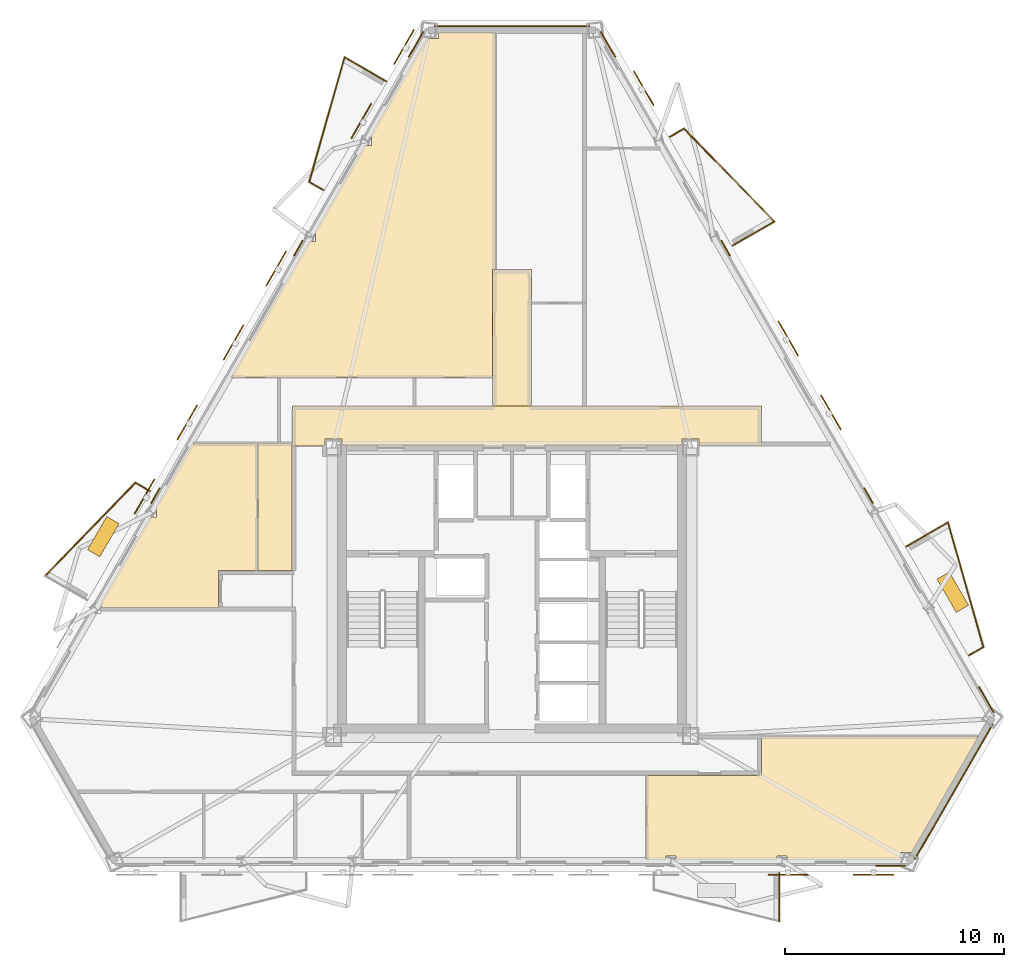
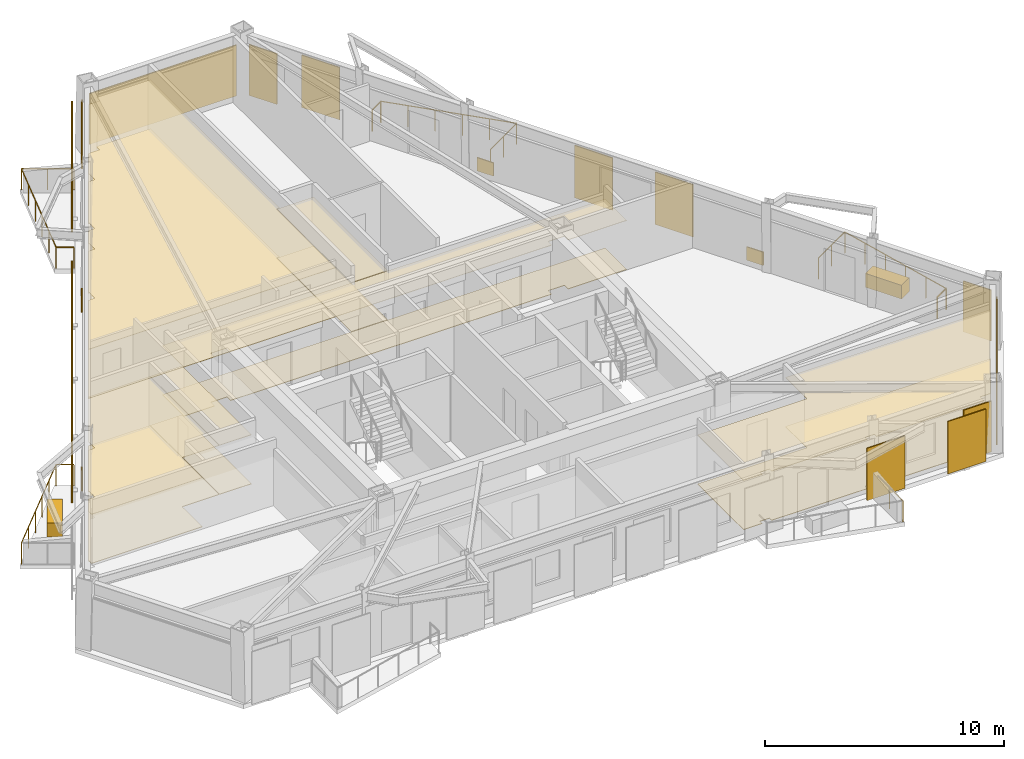
# One storey, part 8 of 8: 24 coverings, 12 railings, 11 shading devices.
"""IFC4 building model written with IfcOpenShell, lengths in metres."""

from ifc_helpers import new_model, si_unit, direction, frame, origin, origin_2d, place, context, subcontext, project, spatial, polyline, rectangle, circle, outline, extrude, material, layer, layer_set, type_object, element, save


model = new_model("IFC4")

# Units and contexts
model_context = context("Model", 3, precision=1e-05, world=origin(), true_north=direction((0.0, 1.0)))
body_context = subcontext(model_context, "Body", "Model", "MODEL_VIEW")
ifc_project = project(units=[si_unit("LENGTHUNIT", "METRE"), si_unit("AREAUNIT", "SQUARE_METRE"), si_unit("VOLUMEUNIT", "CUBIC_METRE"), si_unit("PLANEANGLEUNIT", "RADIAN"), si_unit("MASSUNIT", "GRAM", prefix="KILO")], contexts=[model_context])

# Site, building, storey
site_placement = place(None, origin())
site = spatial("IfcSite", under=ifc_project, at=site_placement, CompositionType="ELEMENT")
building_placement = place(site_placement, origin())
building = spatial("IfcBuilding", under=site, at=building_placement, Name="Oramaril Tower", CompositionType="ELEMENT")
storey_placement = place(building_placement, frame((0.0, 0.0, 193.800048828125)))
storey = spatial("IfcBuildingStorey", under=building, at=storey_placement, Name="L51", CompositionType="ELEMENT", Elevation=193.800048828125)

# Coverings
ifc_material_1 = material(Name="Mineral Fibre Acoustic Ceiling")
ifc_layer_1 = layer(ifc_material_1, 0.02001953125)
ifc_layer_set_1 = layer_set([ifc_layer_1], Name="CVT-CEIL")
covering_type_1 = type_object("IfcCoveringType", Name="CVT-CEIL", PredefinedType="CEILING", material=ifc_layer_set_1)
covering_1_placement = place(storey_placement, frame((0.0, 0.0, 2.511962890625)))
element("IfcCovering", 1, at=covering_1_placement, inside=storey, type_object=covering_type_1, Name="L51 Acoustic Suspended Ceiling 2", PredefinedType="CEILING", context=body_context, shape_type="SweptSolid", body=[
    extrude(outline(polyline([(48.8798828125, 24.239990234375), (46.044921875, 24.239990234375), (46.044921875, 24.544921875), (45.2548828125, 24.544921875), (45.2548828125, 24.25), (29.7451171875, 24.25), (29.7451171875, 24.544921875), (28.955078125, 24.544921875), (28.955078125, 24.239990234375), (27.469970703125, 24.239990234375), (27.469970703125, 26.050048828125), (48.8798828125, 26.050048828125), (48.8798828125, 24.239990234375)])), origin(), (0.0, 0.0, 1.0), 0.02001953125),
])
covering_2_placement = place(storey_placement, frame((0.0, 0.0, 2.511962890625)))
element("IfcCovering", 2, at=covering_2_placement, inside=storey, type_object=covering_type_1, Name="L51 Acoustic Suspended Ceiling 4", PredefinedType="CEILING", context=body_context, shape_type="SweptSolid", body=[
    extrude(outline(polyline([(38.3798828125, 26.070068359375), (36.6201171875, 26.070068359375), (36.6201171875, 32.280029296875), (38.3798828125, 32.280029296875), (38.3798828125, 26.070068359375)])), origin(), (0.0, 0.0, 1.0), 0.02001953125),
])
covering_3_placement = place(storey_placement, frame((0.0, 0.0, 2.511962890625)))
element("IfcCovering", 3, at=covering_3_placement, inside=storey, type_object=covering_type_1, Name="L51 Acoustic Suspended Ceiling 7", PredefinedType="CEILING", context=body_context, shape_type="SweptSolid", body=[
    extrude(outline(polyline([(55.74658203125, 5.681396484375), (55.247314453125, 5.681396484375), (55.247314453125, 5.349609375), (50.059326171875, 5.349609375), (50.059326171875, 5.531005859375), (49.600341796875, 5.531005859375), (49.600341796875, 5.349609375), (44.978271484375, 5.349609375), (44.978271484375, 5.531005859375), (44.52734375, 5.531005859375), (44.52734375, 5.349609375), (43.62109375, 5.349609375), (43.62109375, 9.199951171875), (48.8798828125, 9.199951171875), (48.882080078125, 9.2001953125), (48.8837890625, 9.200439453125), (48.8857421875, 9.200927734375), (48.8876953125, 9.201416015625), (48.889404296875, 9.202392578125), (48.89111328125, 9.203369140625), (48.892578125, 9.20458984375), (48.89404296875, 9.205810546875), (48.8955078125, 9.207275390625), (48.896484375, 9.208984375), (48.897705078125, 9.210693359375), (48.8984375, 9.21240234375), (48.899169921875, 9.214111328125), (48.899658203125, 9.216064453125), (48.89990234375, 9.218017578125), (48.89990234375, 9.219970703125), (48.89990234375, 10.991943359375), (58.8125, 10.991943359375), (55.74658203125, 5.681396484375)])), origin(), (0.0, 0.0, 1.0), 0.02001953125),
])
covering_4_placement = place(storey_placement, frame((0.0, 0.0, 2.511962890625)))
element("IfcCovering", 4, at=covering_4_placement, inside=storey, type_object=covering_type_1, Name="L51 Acoustic Suspended Ceiling 14", PredefinedType="CEILING", context=body_context, shape_type="SweptSolid", body=[
    extrude(outline(polyline([(18.742431640625, 17.079345703125), (18.723876953125, 17.079345703125), (20.98095703125, 20.988525390625), (21.282958984375, 20.988525390625), (21.282958984375, 21.47265625), (21.26025390625, 21.47265625), (22.928466796875, 24.362060546875), (25.89013671875, 24.362060546875), (25.89013671875, 18.550048828125), (24.1201171875, 18.550048828125), (24.117919921875, 18.5498046875), (24.1162109375, 18.549560546875), (24.1142578125, 18.549072265625), (24.1123046875, 18.548583984375), (24.110595703125, 18.547607421875), (24.10888671875, 18.546630859375), (24.107421875, 18.54541015625), (24.10595703125, 18.544189453125), (24.1044921875, 18.542724609375), (24.103515625, 18.541015625), (24.102294921875, 18.539306640625), (24.1015625, 18.53759765625), (24.100830078125, 18.535888671875), (24.100341796875, 18.533935546875), (24.10009765625, 18.531982421875), (24.10009765625, 18.530029296875), (24.10009765625, 16.862060546875), (18.742431640625, 16.862060546875), (18.742431640625, 17.079345703125)])), origin(), (0.0, 0.0, 1.0), 0.02001953125),
])
covering_5_placement = place(storey_placement, frame((0.0, 0.0, 2.511962890625)))
element("IfcCovering", 5, at=covering_5_placement, inside=storey, type_object=covering_type_1, Name="L51 Acoustic Suspended Ceiling 15", PredefinedType="CEILING", context=body_context, shape_type="SweptSolid", body=[
    extrude(outline(polyline([(27.449951171875, 24.362060546875), (27.449951171875, 24.239990234375), (27.4501953125, 24.238037109375), (27.450439453125, 24.236083984375), (27.450927734375, 24.234130859375), (27.451416015625, 24.232421875), (27.452392578125, 24.230712890625), (27.45263671875, 24.22998046875), (27.452392578125, 24.2294921875), (27.451416015625, 24.227783203125), (27.450927734375, 24.225830078125), (27.450439453125, 24.223876953125), (27.4501953125, 24.221923828125), (27.449951171875, 24.219970703125), (27.449951171875, 18.550048828125), (25.91015625, 18.550048828125), (25.91015625, 24.362060546875), (27.449951171875, 24.362060546875)])), origin(), (0.0, 0.0, 1.0), 0.02001953125),
])
covering_6_placement = place(storey_placement, frame((0.0, 0.0, 2.511962890625)))
element("IfcCovering", 6, at=covering_6_placement, inside=storey, type_object=covering_type_1, Name="L51 Acoustic Suspended Ceiling 16", PredefinedType="CEILING", context=body_context, shape_type="SweptSolid", body=[
    extrude(outline(polyline([(36.741943359375, 32.300048828125), (36.6201171875, 32.300048828125), (36.617919921875, 32.2998046875), (36.6162109375, 32.299560546875), (36.6142578125, 32.299072265625), (36.6123046875, 32.298583984375), (36.610595703125, 32.297607421875), (36.60888671875, 32.296630859375), (36.607421875, 32.29541015625), (36.60595703125, 32.294189453125), (36.6044921875, 32.292724609375), (36.603515625, 32.291015625), (36.602294921875, 32.289306640625), (36.6015625, 32.28759765625), (36.600830078125, 32.285888671875), (36.600341796875, 32.283935546875), (36.60009765625, 32.281982421875), (36.60009765625, 32.280029296875), (36.60009765625, 27.347900390625), (24.65234375, 27.347900390625), (28.239501953125, 33.56103515625), (28.541748046875, 33.56103515625), (28.541748046875, 34.024658203125), (28.507080078125, 34.024658203125), (30.780029296875, 37.96142578125), (31.082275390625, 37.96142578125), (31.082275390625, 38.41796875), (31.043701171875, 38.41796875), (33.5966796875, 42.83984375), (34.13623046875, 42.83984375), (34.13623046875, 43.111083984375), (36.741943359375, 43.111083984375), (36.741943359375, 32.300048828125)])), origin(), (0.0, 0.0, 1.0), 0.02001953125),
])
ifc_material_2 = material(Name="Warm Cream Limestone", Category="masonry")
ifc_layer_2 = layer(ifc_material_2, 0.050048828125)
ifc_layer_set_2 = layer_set([ifc_layer_2], Name="CVT-CLD")
covering_type_2 = type_object("IfcCoveringType", Name="CVT-CLD", PredefinedType="CLADDING", material=ifc_layer_set_2)
covering_7_placement = place(storey_placement, frame((54.767333984375, 5.07373046875, 0.0400390625), z_axis=(0.0, 0.0, 1.0), x_axis=(1.0, 0.0, 0.0)))
element("IfcCovering", 7, at=covering_7_placement, inside=storey, type_object=covering_type_2, Name="L51 Warm Cream Limestone Cladding", PredefinedType="CLADDING", context=body_context, shape_type="SweptSolid", body=[
    extrude(rectangle(XDim=1.35009765625, YDim=0.050048828125, at=origin_2d()), origin(), (0.0, 0.0, 1.0), 2.596923828125),
])
covering_8_placement = place(storey_placement, frame((57.667236328125, 8.456298828125, 0.0400390625), z_axis=(0.0, 0.0, 1.0), x_axis=(0.4999984885, 0.866026276448, 0.0)))
element("IfcCovering", 8, at=covering_8_placement, inside=storey, type_object=covering_type_2, Name="L51 Warm Cream Limestone Cladding", PredefinedType="CLADDING", context=body_context, shape_type="SweptSolid", body=[
    extrude(rectangle(XDim=7.117919921875, YDim=0.050048828125, at=origin_2d()), origin(), (0.0, 0.0, 1.0), 2.596923828125),
])
for number, where, z_axis, x_axis, name in (
    (9, (59.146728515625, 12.6591796875, 0.0400390625), (0.0, 0.0, 1.0), (-0.5, 0.866025403784, 0.0), "L51 Warm Cream Limestone Cladding"),
    (10, (41.87939453125, 42.567138671875, 0.0400390625), (0.0, 0.0, 1.0), (-0.5, 0.866025403784, 0.0), "L51 Warm Cream Limestone Cladding"),
):
    element("IfcCovering", number, at=place(storey_placement, frame(where, z_axis=z_axis, x_axis=x_axis)), inside=storey, type_object=covering_type_2, Name=name, PredefinedType="CLADDING", context=body_context, shape_type="SweptSolid", body=[
        extrude(rectangle(XDim=1.35009765625, YDim=0.050048828125, at=origin_2d()), origin(), (0.0, 0.0, 1.0), 2.596923828125),
    ])
for number, where, z_axis, x_axis, name in (
    (11, (53.7744140625, 21.964599609375, 0.0400390625), (0.0, 0.0, 1.0), (-0.5, 0.866025403784, 0.0), "L51 Warm Cream Limestone Spandrel Cladding"),
    (12, (47.251953125, 33.26171875, 0.0400390625), (0.0, 0.0, 1.0), (-0.5, 0.866025403784, 0.0), "L51 Warm Cream Limestone Spandrel Cladding"),
):
    element("IfcCovering", number, at=place(storey_placement, frame(where, z_axis=z_axis, x_axis=x_axis)), inside=storey, type_object=covering_type_2, Name=name, PredefinedType="CLADDING", context=body_context, shape_type="SweptSolid", body=[
        extrude(rectangle(XDim=0.800048828125, YDim=0.050048828125, at=origin_2d()), origin(), (0.0, 0.0, 1.0), 0.679931640625),
    ])
covering_9_placement = place(storey_placement, frame((37.5, 43.38720703125, 0.0400390625), z_axis=(0.0, 0.0, 1.0), x_axis=(-1.0, 0.0, 0.0)))
element("IfcCovering", 13, at=covering_9_placement, inside=storey, type_object=covering_type_2, Name="L51 Warm Cream Limestone Cladding", PredefinedType="CLADDING", context=body_context, shape_type="SweptSolid", body=[
    extrude(rectangle(XDim=7.117919921875, YDim=0.050048828125, at=origin_2d()), origin(), (0.0, 0.0, 1.0), 2.596923828125),
])
covering_10_placement = place(storey_placement, frame((33.12060546875, 42.567138671875, 0.0400390625), z_axis=(0.0, 0.0, 1.0), x_axis=(-0.5, -0.866025403784, 0.0)))
element("IfcCovering", 14, at=covering_10_placement, inside=storey, type_object=covering_type_2, Name="L51 Warm Cream Limestone Cladding", PredefinedType="CLADDING", context=body_context, shape_type="SweptSolid", body=[
    extrude(rectangle(XDim=1.35009765625, YDim=0.050048828125, at=origin_2d()), origin(), (0.0, 0.0, 1.0), 2.596923828125),
])
for number, where, z_axis, x_axis, name in (
    (15, (27.748046875, 33.26171875, 0.0400390625), (0.0, 0.0, 1.0), (-0.5, -0.866025403784, 0.0), "L51 Warm Cream Limestone Spandrel Cladding"),
    (16, (21.2255859375, 21.964599609375, 0.0400390625), (0.0, 0.0, 1.0), (-0.5, -0.866025403784, 0.0), "L51 Warm Cream Limestone Spandrel Cladding"),
):
    element("IfcCovering", number, at=place(storey_placement, frame(where, z_axis=z_axis, x_axis=x_axis)), inside=storey, type_object=covering_type_2, Name=name, PredefinedType="CLADDING", context=body_context, shape_type="SweptSolid", body=[
        extrude(rectangle(XDim=0.800048828125, YDim=0.050048828125, at=origin_2d()), origin(), (0.0, 0.0, 1.0), 0.679931640625),
    ])
for number, where, z_axis, x_axis, name in (
    (17, (57.619384765625, 17.561767578125, 0.0), (0.0, 0.0, 1.0), (-0.5, 0.866025403784, 0.0), "L51 Structural Tree Planter Box L51-BAL-NE1"),
    (18, (18.843017578125, 20.094970703125, 0.0), (0.0, 0.0, 1.0), (-0.5, -0.866025403784, 0.0), "L51 Structural Tree Planter Box L51-BAL-NW2"),
):
    element("IfcCovering", number, at=place(storey_placement, frame(where, z_axis=z_axis, x_axis=x_axis)), inside=storey, type_object=covering_type_2, Name=name, PredefinedType="CLADDING", context=body_context, shape_type="SweptSolid", body=[
        extrude(rectangle(XDim=1.75, YDim=0.64990234375, at=origin_2d()), origin(), (0.0, 0.0, 1.0), 0.699951171875),
    ])
ifc_material_3 = material(Name="Honed Quartzite Stone Flooring", Category="masonry")
ifc_layer_3 = layer(ifc_material_3, 0.02490234375)
ifc_layer_set_3 = layer_set([ifc_layer_3], Name="CVT-FLR")
covering_type_3 = type_object("IfcCoveringType", Name="CVT-FLR", PredefinedType="FLOORING", material=ifc_layer_set_3)
covering_11_placement = place(storey_placement, origin())
element("IfcCovering", 19, at=covering_11_placement, inside=storey, type_object=covering_type_3, Name="L51 Honed Stone Floor Finish 2", PredefinedType="FLOORING", context=body_context, shape_type="SweptSolid", body=[
    extrude(outline(polyline([(48.8798828125, 24.239990234375), (46.044921875, 24.239990234375), (46.044921875, 24.544921875), (45.2548828125, 24.544921875), (45.2548828125, 24.25), (29.7451171875, 24.25), (29.7451171875, 24.544921875), (28.955078125, 24.544921875), (28.955078125, 24.239990234375), (27.469970703125, 24.239990234375), (27.469970703125, 26.050048828125), (48.8798828125, 26.050048828125), (48.8798828125, 24.239990234375)])), origin(), (0.0, 0.0, 1.0), 0.02490234375),
])
covering_12_placement = place(storey_placement, origin())
element("IfcCovering", 20, at=covering_12_placement, inside=storey, type_object=covering_type_3, Name="L51 Honed Stone Floor Finish 4", PredefinedType="FLOORING", context=body_context, shape_type="SweptSolid", body=[
    extrude(outline(polyline([(38.3798828125, 26.070068359375), (36.6201171875, 26.070068359375), (36.6201171875, 32.280029296875), (38.3798828125, 32.280029296875), (38.3798828125, 26.070068359375)])), origin(), (0.0, 0.0, 1.0), 0.02490234375),
])
covering_13_placement = place(storey_placement, origin())
element("IfcCovering", 21, at=covering_13_placement, inside=storey, type_object=covering_type_3, Name="L51 Honed Stone Floor Finish 7", PredefinedType="FLOORING", context=body_context, shape_type="SweptSolid", body=[
    extrude(outline(polyline([(55.74658203125, 5.681396484375), (55.247314453125, 5.681396484375), (55.247314453125, 5.349609375), (50.059326171875, 5.349609375), (50.059326171875, 5.531005859375), (49.600341796875, 5.531005859375), (49.600341796875, 5.349609375), (44.978271484375, 5.349609375), (44.978271484375, 5.531005859375), (44.52734375, 5.531005859375), (44.52734375, 5.349609375), (43.62109375, 5.349609375), (43.62109375, 9.199951171875), (48.8798828125, 9.199951171875), (48.882080078125, 9.2001953125), (48.8837890625, 9.200439453125), (48.8857421875, 9.200927734375), (48.8876953125, 9.201416015625), (48.889404296875, 9.202392578125), (48.89111328125, 9.203369140625), (48.892578125, 9.20458984375), (48.89404296875, 9.205810546875), (48.8955078125, 9.207275390625), (48.896484375, 9.208984375), (48.897705078125, 9.210693359375), (48.8984375, 9.21240234375), (48.899169921875, 9.214111328125), (48.899658203125, 9.216064453125), (48.89990234375, 9.218017578125), (48.89990234375, 9.219970703125), (48.89990234375, 10.991943359375), (58.8125, 10.991943359375), (55.74658203125, 5.681396484375)])), origin(), (0.0, 0.0, 1.0), 0.02490234375),
])
covering_14_placement = place(storey_placement, origin())
element("IfcCovering", 22, at=covering_14_placement, inside=storey, type_object=covering_type_3, Name="L51 Honed Stone Floor Finish 14", PredefinedType="FLOORING", context=body_context, shape_type="SweptSolid", body=[
    extrude(outline(polyline([(18.742431640625, 17.079345703125), (18.723876953125, 17.079345703125), (20.98095703125, 20.988525390625), (21.282958984375, 20.988525390625), (21.282958984375, 21.47265625), (21.26025390625, 21.47265625), (22.928466796875, 24.362060546875), (25.89013671875, 24.362060546875), (25.89013671875, 18.550048828125), (24.1201171875, 18.550048828125), (24.117919921875, 18.5498046875), (24.1162109375, 18.549560546875), (24.1142578125, 18.549072265625), (24.1123046875, 18.548583984375), (24.110595703125, 18.547607421875), (24.10888671875, 18.546630859375), (24.107421875, 18.54541015625), (24.10595703125, 18.544189453125), (24.1044921875, 18.542724609375), (24.103515625, 18.541015625), (24.102294921875, 18.539306640625), (24.1015625, 18.53759765625), (24.100830078125, 18.535888671875), (24.100341796875, 18.533935546875), (24.10009765625, 18.531982421875), (24.10009765625, 18.530029296875), (24.10009765625, 16.862060546875), (18.742431640625, 16.862060546875), (18.742431640625, 17.079345703125)])), origin(), (0.0, 0.0, 1.0), 0.02490234375),
])
covering_15_placement = place(storey_placement, origin())
element("IfcCovering", 23, at=covering_15_placement, inside=storey, type_object=covering_type_3, Name="L51 Honed Stone Floor Finish 15", PredefinedType="FLOORING", context=body_context, shape_type="SweptSolid", body=[
    extrude(outline(polyline([(27.449951171875, 24.362060546875), (27.449951171875, 24.239990234375), (27.4501953125, 24.238037109375), (27.450439453125, 24.236083984375), (27.450927734375, 24.234130859375), (27.451416015625, 24.232421875), (27.452392578125, 24.230712890625), (27.45263671875, 24.22998046875), (27.452392578125, 24.2294921875), (27.451416015625, 24.227783203125), (27.450927734375, 24.225830078125), (27.450439453125, 24.223876953125), (27.4501953125, 24.221923828125), (27.449951171875, 24.219970703125), (27.449951171875, 18.550048828125), (25.91015625, 18.550048828125), (25.91015625, 24.362060546875), (27.449951171875, 24.362060546875)])), origin(), (0.0, 0.0, 1.0), 0.02490234375),
])
covering_16_placement = place(storey_placement, origin())
element("IfcCovering", 24, at=covering_16_placement, inside=storey, type_object=covering_type_3, Name="L51 Honed Stone Floor Finish 16", PredefinedType="FLOORING", context=body_context, shape_type="SweptSolid", body=[
    extrude(outline(polyline([(36.741943359375, 32.300048828125), (36.6201171875, 32.300048828125), (36.617919921875, 32.2998046875), (36.6162109375, 32.299560546875), (36.6142578125, 32.299072265625), (36.6123046875, 32.298583984375), (36.610595703125, 32.297607421875), (36.60888671875, 32.296630859375), (36.607421875, 32.29541015625), (36.60595703125, 32.294189453125), (36.6044921875, 32.292724609375), (36.603515625, 32.291015625), (36.602294921875, 32.289306640625), (36.6015625, 32.28759765625), (36.600830078125, 32.285888671875), (36.600341796875, 32.283935546875), (36.60009765625, 32.281982421875), (36.60009765625, 32.280029296875), (36.60009765625, 27.347900390625), (24.65234375, 27.347900390625), (28.239501953125, 33.56103515625), (28.541748046875, 33.56103515625), (28.541748046875, 34.024658203125), (28.507080078125, 34.024658203125), (30.780029296875, 37.96142578125), (31.082275390625, 37.96142578125), (31.082275390625, 38.41796875), (31.043701171875, 38.41796875), (33.5966796875, 42.83984375), (34.13623046875, 42.83984375), (34.13623046875, 43.111083984375), (36.741943359375, 43.111083984375), (36.741943359375, 32.300048828125)])), origin(), (0.0, 0.0, 1.0), 0.02490234375),
])

# Railings
ifc_material_4 = material(Name="Stainless Steel 316L", Category="steel")
railing_type = type_object("IfcRailingType", Name="RLT-GRD", PredefinedType="GUARDRAIL", material=ifc_material_4)
railing_1_placement = place(storey_placement, frame((49.697998046875, 4.733642578125, 0.0)))
element("IfcRailing", 25, at=railing_1_placement, inside=storey, type_object=railing_type, Name="L51 Balcony Guardrail L51-BAL-S2.1", PredefinedType="GUARDRAIL", context=body_context, shape_type="SweptSolid", body=[
    extrude(circle(Radius=0.02392578125, at=origin_2d()), frame((0.0, 0.0, 1.076171875), z_axis=(0.0, -1.0, 0.0), x_axis=(1.0, 0.0, 0.0)), (0.0, 0.0, 1.0), 2.19189453125),
    extrude(circle(Radius=0.02099609375, at=origin_2d()), origin(), (0.0, 0.0, 1.0), 1.052001953125),
    extrude(circle(Radius=0.02099609375, at=origin_2d()), frame((0.0, -1.095947265625, 0.0)), (0.0, 0.0, 1.0), 1.052001953125),
    extrude(circle(Radius=0.02099609375, at=origin_2d()), frame((0.0, -2.19189453125, 0.0)), (0.0, 0.0, 1.0), 1.052001953125),
])
railing_2_placement = place(storey_placement, frame((55.504150390625, 19.648681640625, 0.0)))
element("IfcRailing", 26, at=railing_2_placement, inside=storey, type_object=railing_type, Name="L51 Balcony Guardrail L51-BAL-NE1.1", PredefinedType="GUARDRAIL", context=body_context, shape_type="SweptSolid", body=[
    extrude(circle(Radius=0.02392578125, at=origin_2d()), frame((0.0, 0.0, 1.076171875), z_axis=(0.866020500697, 0.5000084923, 0.0), x_axis=(-0.5000084923, 0.866020500697, 0.0)), (0.0, 0.0, 1.0), 2.19189453125),
    extrude(circle(Radius=0.02099609375, at=origin_2d()), origin(), (0.0, 0.0, 1.0), 1.052001953125),
    extrude(circle(Radius=0.02099609375, at=origin_2d()), frame((0.94921875, 0.5478515625, 0.0)), (0.0, 0.0, 1.0), 1.052001953125),
    extrude(circle(Radius=0.02099609375, at=origin_2d()), frame((1.898193359375, 1.095947265625, 0.0)), (0.0, 0.0, 1.0), 1.052001953125),
])
railing_3_placement = place(storey_placement, frame((57.40234375, 20.74462890625, 0.0)))
element("IfcRailing", 27, at=railing_3_placement, inside=storey, type_object=railing_type, Name="L51 Balcony Guardrail L51-BAL-NE1.2", PredefinedType="GUARDRAIL", context=body_context, shape_type="SweptSolid", body=[
    extrude(circle(Radius=0.02392578125, at=origin_2d()), frame((0.0, 0.0, 1.076171875), z_axis=(0.272287109361, -0.962216051662, 0.0), x_axis=(0.962216051662, 0.272287109361, 0.0)), (0.0, 0.0, 1.0), 5.91064453125),
    extrude(circle(Radius=0.02099609375, at=origin_2d()), origin(), (0.0, 0.0, 1.0), 1.052001953125),
    extrude(circle(Radius=0.02099609375, at=origin_2d()), frame((0.32177734375, -1.137451171875, 0.0)), (0.0, 0.0, 1.0), 1.052001953125),
    extrude(circle(Radius=0.02099609375, at=origin_2d()), frame((0.643798828125, -2.27490234375, 0.0)), (0.0, 0.0, 1.0), 1.052001953125),
    extrude(circle(Radius=0.02099609375, at=origin_2d()), frame((0.965576171875, -3.412353515625, 0.0)), (0.0, 0.0, 1.0), 1.052001953125),
    extrude(circle(Radius=0.02099609375, at=origin_2d()), frame((1.28759765625, -4.5498046875, 0.0)), (0.0, 0.0, 1.0), 1.052001953125),
    extrude(circle(Radius=0.02099609375, at=origin_2d()), frame((1.609375, -5.687255859375, 0.0)), (0.0, 0.0, 1.0), 1.052001953125),
])
railing_4_placement = place(storey_placement, frame((59.01171875, 15.057373046875, 0.0)))
element("IfcRailing", 28, at=railing_4_placement, inside=storey, type_object=railing_type, Name="L51 Balcony Guardrail L51-BAL-NE1.3", PredefinedType="GUARDRAIL", context=body_context, shape_type="SweptSolid", body=[
    extrude(circle(Radius=0.02392578125, at=origin_2d()), frame((0.0, 0.0, 1.076171875), z_axis=(-0.865966403178, -0.500102178127, 0.0), x_axis=(0.500102178127, -0.865966403178, 0.0)), (0.0, 0.0, 1.0), 0.741943359375),
    extrude(circle(Radius=0.02099609375, at=origin_2d()), origin(), (0.0, 0.0, 1.0), 1.052001953125),
    extrude(circle(Radius=0.02099609375, at=origin_2d()), frame((-0.642578125, -0.37109375, 0.0)), (0.0, 0.0, 1.0), 1.052001953125),
])
railing_5_placement = place(storey_placement, frame((44.708740234375, 38.3466796875, 0.0)))
element("IfcRailing", 29, at=railing_5_placement, inside=storey, type_object=railing_type, Name="L51 Balcony Guardrail L51-BAL-NE2.1", PredefinedType="GUARDRAIL", context=body_context, shape_type="SweptSolid", body=[
    extrude(circle(Radius=0.02392578125, at=origin_2d()), frame((0.0, 0.0, 1.076171875), z_axis=(0.865966403178, 0.500102178127, 0.0), x_axis=(-0.500102178127, 0.865966403178, 0.0)), (0.0, 0.0, 1.0), 0.741943359375),
    extrude(circle(Radius=0.02099609375, at=origin_2d()), origin(), (0.0, 0.0, 1.0), 1.052001953125),
    extrude(circle(Radius=0.02099609375, at=origin_2d()), frame((0.642578125, 0.37109375, 0.0)), (0.0, 0.0, 1.0), 1.052001953125),
])
railing_6_placement = place(storey_placement, frame((45.351318359375, 38.7177734375, 0.0)))
element("IfcRailing", 30, at=railing_6_placement, inside=storey, type_object=railing_type, Name="L51 Balcony Guardrail L51-BAL-NE2.2", PredefinedType="GUARDRAIL", context=body_context, shape_type="SweptSolid", body=[
    extrude(circle(Radius=0.02392578125, at=origin_2d()), frame((0.0, 0.0, 1.076171875), z_axis=(0.697165686546, -0.716910040034, 0.0), x_axis=(0.716910040034, 0.697165686546, 0.0)), (0.0, 0.0, 1.0), 5.910400390625),
    extrude(circle(Radius=0.02099609375, at=origin_2d()), origin(), (0.0, 0.0, 1.0), 1.052001953125),
    extrude(circle(Radius=0.02099609375, at=origin_2d()), frame((0.82421875, -0.847412109375, 0.0)), (0.0, 0.0, 1.0), 1.052001953125),
    extrude(circle(Radius=0.02099609375, at=origin_2d()), frame((1.648193359375, -1.69482421875, 0.0)), (0.0, 0.0, 1.0), 1.052001953125),
    extrude(circle(Radius=0.02099609375, at=origin_2d()), frame((2.472412109375, -2.54248046875, 0.0)), (0.0, 0.0, 1.0), 1.052001953125),
    extrude(circle(Radius=0.02099609375, at=origin_2d()), frame((3.29638671875, -3.389892578125, 0.0)), (0.0, 0.0, 1.0), 1.052001953125),
    extrude(circle(Radius=0.02099609375, at=origin_2d()), frame((4.12060546875, -4.2373046875, 0.0)), (0.0, 0.0, 1.0), 1.052001953125),
])
railing_7_placement = place(storey_placement, frame((49.471923828125, 34.48046875, 0.0)))
element("IfcRailing", 31, at=railing_7_placement, inside=storey, type_object=railing_type, Name="L51 Balcony Guardrail L51-BAL-NE2.3", PredefinedType="GUARDRAIL", context=body_context, shape_type="SweptSolid", body=[
    extrude(circle(Radius=0.02392578125, at=origin_2d()), frame((0.0, 0.0, 1.076171875), z_axis=(-0.866020500697, -0.5000084923, 0.0), x_axis=(0.5000084923, -0.866020500697, 0.0)), (0.0, 0.0, 1.0), 2.19189453125),
    extrude(circle(Radius=0.02099609375, at=origin_2d()), origin(), (0.0, 0.0, 1.0), 1.052001953125),
    extrude(circle(Radius=0.02099609375, at=origin_2d()), frame((-0.94921875, -0.5478515625, 0.0)), (0.0, 0.0, 1.0), 1.052001953125),
    extrude(circle(Radius=0.02099609375, at=origin_2d()), frame((-1.898193359375, -1.095947265625, 0.0)), (0.0, 0.0, 1.0), 1.052001953125),
])
railing_8_placement = place(storey_placement, frame((28.888916015625, 35.917724609375, 0.0)))
element("IfcRailing", 32, at=railing_8_placement, inside=storey, type_object=railing_type, Name="L51 Balcony Guardrail L51-BAL-NW1.1", PredefinedType="GUARDRAIL", context=body_context, shape_type="SweptSolid", body=[
    extrude(circle(Radius=0.02392578125, at=origin_2d()), frame((0.0, 0.0, 1.076171875), z_axis=(-0.865966403178, 0.500102178127, 0.0), x_axis=(-0.500102178127, -0.865966403178, 0.0)), (0.0, 0.0, 1.0), 0.741943359375),
    extrude(circle(Radius=0.02099609375, at=origin_2d()), origin(), (0.0, 0.0, 1.0), 1.052001953125),
    extrude(circle(Radius=0.02099609375, at=origin_2d()), frame((-0.642578125, 0.37109375, 0.0)), (0.0, 0.0, 1.0), 1.052001953125),
])
railing_9_placement = place(storey_placement, frame((28.246337890625, 36.288818359375, 0.0)))
element("IfcRailing", 33, at=railing_9_placement, inside=storey, type_object=railing_type, Name="L51 Balcony Guardrail L51-BAL-NW1.2", PredefinedType="GUARDRAIL", context=body_context, shape_type="SweptSolid", body=[
    extrude(circle(Radius=0.02392578125, at=origin_2d()), frame((0.0, 0.0, 1.076171875), z_axis=(0.272259686627, 0.962223811303, 0.0), x_axis=(-0.962223811303, 0.272259686627, 0.0)), (0.0, 0.0, 1.0), 5.910400390625),
    extrude(circle(Radius=0.02099609375, at=origin_2d()), origin(), (0.0, 0.0, 1.0), 1.052001953125),
    extrude(circle(Radius=0.02099609375, at=origin_2d()), frame((0.32177734375, 1.137451171875, 0.0)), (0.0, 0.0, 1.0), 1.052001953125),
    extrude(circle(Radius=0.02099609375, at=origin_2d()), frame((0.6435546875, 2.27490234375, 0.0)), (0.0, 0.0, 1.0), 1.052001953125),
    extrude(circle(Radius=0.02099609375, at=origin_2d()), frame((0.965576171875, 3.412109375, 0.0)), (0.0, 0.0, 1.0), 1.052001953125),
    extrude(circle(Radius=0.02099609375, at=origin_2d()), frame((1.287353515625, 4.549560546875, 0.0)), (0.0, 0.0, 1.0), 1.052001953125),
    extrude(circle(Radius=0.02099609375, at=origin_2d()), frame((1.609130859375, 5.68701171875, 0.0)), (0.0, 0.0, 1.0), 1.052001953125),
])
railing_10_placement = place(storey_placement, frame((29.85546875, 41.975830078125, 0.0)))
element("IfcRailing", 34, at=railing_10_placement, inside=storey, type_object=railing_type, Name="L51 Balcony Guardrail L51-BAL-NW1.3", PredefinedType="GUARDRAIL", context=body_context, shape_type="SweptSolid", body=[
    extrude(circle(Radius=0.02392578125, at=origin_2d()), frame((0.0, 0.0, 1.076171875), z_axis=(0.866048343933, -0.499960264392, 0.0), x_axis=(0.499960264392, 0.866048343933, 0.0)), (0.0, 0.0, 1.0), 2.192138671875),
    extrude(circle(Radius=0.02099609375, at=origin_2d()), origin(), (0.0, 0.0, 1.0), 1.052001953125),
    extrude(circle(Radius=0.02099609375, at=origin_2d()), frame((0.94921875, -0.5478515625, 0.0)), (0.0, 0.0, 1.0), 1.052001953125),
    extrude(circle(Radius=0.02099609375, at=origin_2d()), frame((1.8984375, -1.095947265625, 0.0)), (0.0, 0.0, 1.0), 1.052001953125),
])
railing_11_placement = place(storey_placement, frame((16.195068359375, 18.3154296875, 0.0)))
element("IfcRailing", 35, at=railing_11_placement, inside=storey, type_object=railing_type, Name="L51 Balcony Guardrail L51-BAL-NW2.2", PredefinedType="GUARDRAIL", context=body_context, shape_type="SweptSolid", body=[
    extrude(circle(Radius=0.02392578125, at=origin_2d()), frame((0.0, 0.0, 1.076171875), z_axis=(0.697186915353, 0.716889395277, 0.0), x_axis=(-0.716889395277, 0.697186915353, 0.0)), (0.0, 0.0, 1.0), 5.91064453125),
    extrude(circle(Radius=0.02099609375, at=origin_2d()), origin(), (0.0, 0.0, 1.0), 1.052001953125),
    extrude(circle(Radius=0.02099609375, at=origin_2d()), frame((0.82421875, 0.847412109375, 0.0)), (0.0, 0.0, 1.0), 1.052001953125),
    extrude(circle(Radius=0.02099609375, at=origin_2d()), frame((1.6484375, 1.69482421875, 0.0)), (0.0, 0.0, 1.0), 1.052001953125),
    extrude(circle(Radius=0.02099609375, at=origin_2d()), frame((2.472412109375, 2.54248046875, 0.0)), (0.0, 0.0, 1.0), 1.052001953125),
    extrude(circle(Radius=0.02099609375, at=origin_2d()), frame((3.296630859375, 3.389892578125, 0.0)), (0.0, 0.0, 1.0), 1.052001953125),
    extrude(circle(Radius=0.02099609375, at=origin_2d()), frame((4.120849609375, 4.2373046875, 0.0)), (0.0, 0.0, 1.0), 1.052001953125),
])
railing_12_placement = place(storey_placement, frame((20.31591796875, 22.552734375, 0.0)))
element("IfcRailing", 36, at=railing_12_placement, inside=storey, type_object=railing_type, Name="L51 Balcony Guardrail L51-BAL-NW2.3", PredefinedType="GUARDRAIL", context=body_context, shape_type="SweptSolid", body=[
    extrude(circle(Radius=0.02392578125, at=origin_2d()), frame((0.0, 0.0, 1.076171875), z_axis=(0.866108878364, -0.499855389907, 0.0), x_axis=(0.499855389907, 0.866108878364, 0.0)), (0.0, 0.0, 1.0), 0.741943359375),
    extrude(circle(Radius=0.02099609375, at=origin_2d()), origin(), (0.0, 0.0, 1.0), 1.052001953125),
    extrude(circle(Radius=0.02099609375, at=origin_2d()), frame((0.642578125, -0.370849609375, 0.0)), (0.0, 0.0, 1.0), 1.052001953125),
])

# Shading devices
for number, where, z_axis, x_axis, name in (
    (37, (50.103271484375, 4.66162109375, -0.02001953125), (0.0, 0.0, 1.0), (1.0, 0.0, 0.0), "L51 Perforated Ceramic Solar Screen"),
    (38, (54.003173828125, 4.66162109375, -0.02001953125), (0.0, 0.0, 1.0), (1.0, 0.0, 0.0), "L51 Perforated Ceramic Solar Screen"),
    (39, (43.513671875, 40.560546875, -0.02001953125), (0.0, 0.0, 1.0), (-0.5, 0.866025403784, 0.0), "L51 Perforated Ceramic Solar Screen"),
    (40, (52.0576171875, 25.76220703125, -0.02001953125), (0.0, 0.0, 1.0), (-0.5, 0.866025403784, 0.0), "L51 Perforated Ceramic Solar Screen"),
    (41, (50.107421875, 29.1396484375, -0.02001953125), (0.0, 0.0, 1.0), (-0.5, 0.866025403784, 0.0), "L51 Perforated Ceramic Solar Screen"),
    (42, (22.67822265625, 25.304443359375, -0.02001953125), (0.0, 0.0, 1.0), (-0.5, -0.866025403784, 0.0), "L51 Perforated Ceramic Solar Screen"),
    (43, (20.728271484375, 21.927001953125, -0.02001953125), (0.0, 0.0, 1.0), (-0.5, -0.866025403784, 0.0), "L51 Perforated Ceramic Solar Screen"),
    (44, (32.572265625, 42.44140625, -0.02001953125), (0.0, 0.0, 1.0), (-0.5, -0.866025403784, 0.0), "L51 Perforated Ceramic Solar Screen"),
    (45, (30.622314453125, 39.06396484375, -0.02001953125), (0.0, 0.0, 1.0), (-0.5, -0.866025403784, 0.0), "L51 Perforated Ceramic Solar Screen"),
    (46, (26.739501953125, 32.339111328125, -0.02001953125), (0.0, 0.0, 1.0), (-0.5, -0.866025403784, 0.0), "L51 Perforated Ceramic Solar Screen"),
    (47, (24.78955078125, 28.961669921875, -0.02001953125), (0.0, 0.0, 1.0), (-0.5, -0.866025403784, 0.0), "L51 Perforated Ceramic Solar Screen"),
):
    element("IfcShadingDevice", number, at=place(storey_placement, frame(where, z_axis=z_axis, x_axis=x_axis)), inside=storey, Name=name, ObjectType="SCREEN", PredefinedType="USERDEFINED", context=body_context, shape_type="SweptSolid", body=[
        extrude(rectangle(XDim=1.8330078125, YDim=0.050048828125, at=origin_2d()), origin(), (0.0, 0.0, 1.0), 2.677001953125),
    ])

save(model, "model.ifc")
